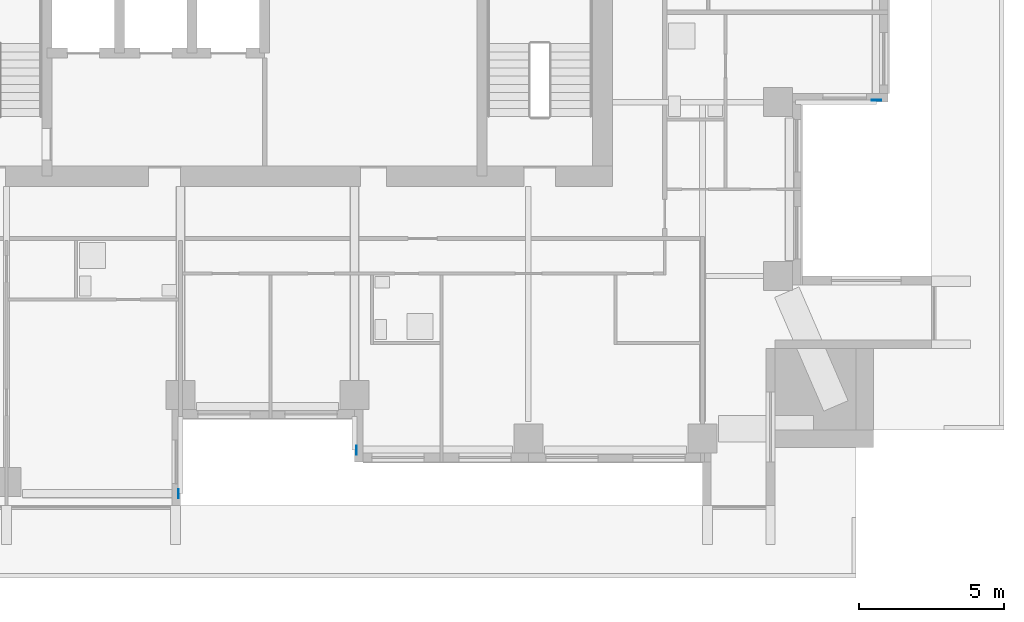
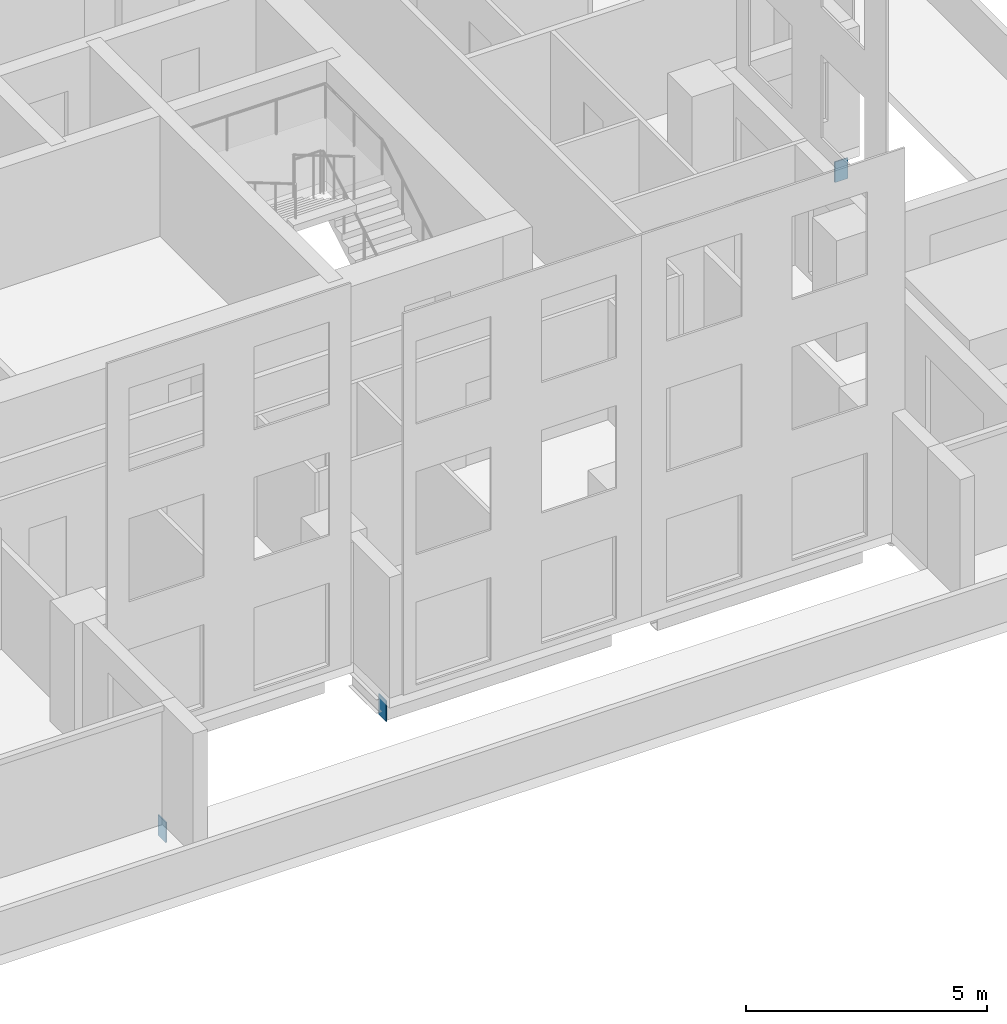
# One storey, part 10 of 14: 3 discrete accessories.
"""IFC4 building model written with IfcOpenShell, lengths in metres."""

from ifc_helpers import new_model, si_unit, direction, frame, origin, origin_2d, place, context, subcontext, project, spatial, rectangle, extrude, element, save


model = new_model("IFC4")

# Units and contexts
model_context = context("Model", 3, precision=1e-05, world=origin(), true_north=direction((0.0, 1.0)))
body_context = subcontext(model_context, "Body", "Model", "MODEL_VIEW")
ifc_project = project(units=[si_unit("LENGTHUNIT", "METRE"), si_unit("AREAUNIT", "SQUARE_METRE"), si_unit("VOLUMEUNIT", "CUBIC_METRE"), si_unit("PLANEANGLEUNIT", "RADIAN"), si_unit("MASSUNIT", "GRAM", prefix="KILO")], contexts=[model_context])

# Site, building, storey
site_placement = place(None, origin())
site = spatial("IfcSite", under=ifc_project, at=site_placement, CompositionType="ELEMENT")
building_placement = place(site_placement, origin())
building = spatial("IfcBuilding", under=site, at=building_placement, Name="Amberfall Residences", CompositionType="ELEMENT")
storey_placement = place(building_placement, frame((0.0, 0.0, 133.89990234375)))
storey = spatial("IfcBuildingStorey", under=building, at=storey_placement, Name="L35", CompositionType="ELEMENT", Elevation=133.89990234375)

# Discrete accessories
for number, where, z_axis, x_axis, name in (
    (1, (71.532470703125, 22.89990234375, -0.760009765625), (0.0, 0.0, 1.0), (1.0, 0.0, 0.0), "End cap plate L35"),
    (2, (77.66748046875, 24.39990234375, -0.760009765625), (0.0, 0.0, 1.0), (-1.0, 0.0, 0.0), "End cap plate L35"),
    (3, (95.60009765625, 36.467529296875, -0.760009765625), (0.0, 0.0, 1.0), (0.0, -1.0, 0.0), "End cap plate L35"),
):
    element("IfcDiscreteAccessory", number, at=place(storey_placement, frame(where, z_axis=z_axis, x_axis=x_axis)), inside=storey, Name=name, PredefinedType="BRACKET", context=body_context, shape_type="SweptSolid", body=[
        extrude(rectangle(XDim=0.02490234375, YDim=0.320068359375, at=origin_2d()), origin(), (0.0, 0.0, 1.0), 0.52001953125),
    ])

save(model, "model.ifc")
